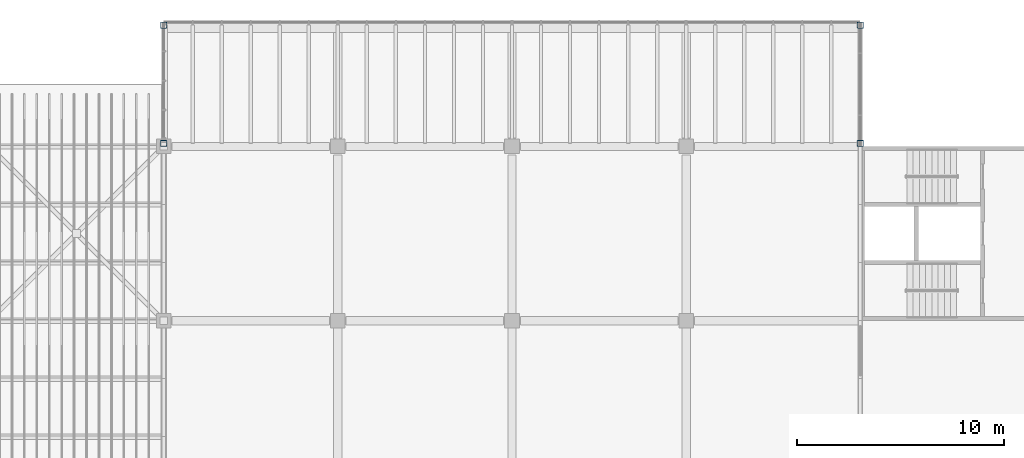
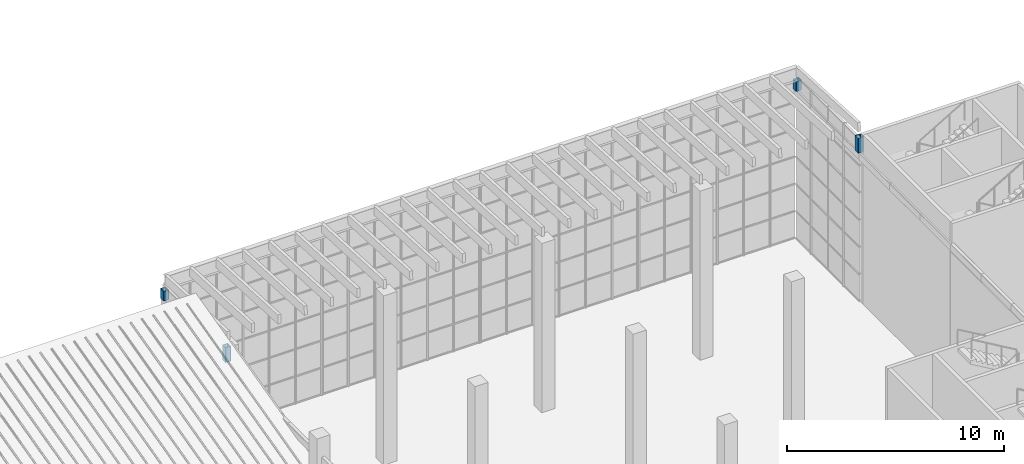
# One storey, part 29 of 114: 4 members.
"""IFC4 building model written with IfcOpenShell, lengths in metres."""

from ifc_helpers import new_model, si_unit, direction, frame, origin, origin_2d, place, context, subcontext, project, spatial, hollow_rectangle, extrude, material, material_profile, profile_set, type_object, element, save


model = new_model("IFC4")

# Units and contexts
model_context = context("Model", 3, precision=1e-05, world=origin(), true_north=direction((0.0, 1.0)))
body_context = subcontext(model_context, "Body", "Model", "MODEL_VIEW")
ifc_project = project(units=[si_unit("LENGTHUNIT", "METRE"), si_unit("AREAUNIT", "SQUARE_METRE"), si_unit("VOLUMEUNIT", "CUBIC_METRE"), si_unit("PLANEANGLEUNIT", "RADIAN"), si_unit("MASSUNIT", "GRAM", prefix="KILO")], contexts=[model_context])

# Site, building, storey
site_placement = place(None, origin())
site = spatial("IfcSite", under=ifc_project, at=site_placement, CompositionType="ELEMENT")
building_placement = place(site_placement, origin())
building = spatial("IfcBuilding", under=site, at=building_placement, Name="Almond Square Museum", CompositionType="ELEMENT")
storey_placement = place(building_placement, frame((0.0, 0.0, 10.5)))
storey = spatial("IfcBuildingStorey", under=building, at=storey_placement, Name="L02", CompositionType="ELEMENT", Elevation=10.5)

# Members
ifc_material = material(Name="Structural steel S355", Category="steel")
ifc_material_profile = material_profile(ifc_material, hollow_rectangle(XDim=0.300048828125, YDim=0.300048828125, WallThickness=0.012451171875, InnerFilletRadius=0.02490234375, OuterFilletRadius=0.03759765625, at=origin_2d()))
ifc_profile_set = profile_set([ifc_material_profile], Name="Structural steel S355")
member_type = type_object("IfcMemberType", Name="Truss post SHS 300x300x12.5", PredefinedType="POST", material=ifc_profile_set)
member_1_placement = place(storey_placement, frame((39.60009765625, 109.35009765625, 8.39990234375), z_axis=(0.0, 0.0, 1.0), x_axis=(1.0, 0.0, 0.0)))
element("IfcMember", 1, at=member_1_placement, inside=storey, type_object=member_type, Name="Box roof post", PredefinedType="POST", context=body_context, shape_type="SweptSolid", body=[
    extrude(hollow_rectangle(XDim=0.300048828125, YDim=0.300048828125, WallThickness=0.012451171875, InnerFilletRadius=0.02490234375, OuterFilletRadius=0.03759765625, at=origin_2d()), origin(), (0.0, 0.0, 1.0), 0.83837890625),
])
member_2_placement = place(storey_placement, frame((39.60009765625, 115.050048828125, 8.39990234375), z_axis=(0.0, 0.0, 1.0), x_axis=(1.0, 0.0, 0.0)))
element("IfcMember", 2, at=member_2_placement, inside=storey, type_object=member_type, Name="Box roof post", PredefinedType="POST", context=body_context, shape_type="SweptSolid", body=[
    extrude(hollow_rectangle(XDim=0.300048828125, YDim=0.300048828125, WallThickness=0.012451171875, InnerFilletRadius=0.02490234375, OuterFilletRadius=0.03759765625, at=origin_2d()), origin(), (0.0, 0.0, 1.0), 0.553466796875),
])
member_3_placement = place(storey_placement, frame((73.199951171875, 109.35009765625, 8.39990234375), z_axis=(0.0, 0.0, 1.0), x_axis=(1.0, 0.0, 0.0)))
element("IfcMember", 3, at=member_3_placement, inside=storey, type_object=member_type, Name="Box roof post", PredefinedType="POST", context=body_context, shape_type="SweptSolid", body=[
    extrude(hollow_rectangle(XDim=0.300048828125, YDim=0.300048828125, WallThickness=0.012451171875, InnerFilletRadius=0.02490234375, OuterFilletRadius=0.03759765625, at=origin_2d()), origin(), (0.0, 0.0, 1.0), 0.83837890625),
])
member_4_placement = place(storey_placement, frame((73.199951171875, 115.050048828125, 8.39990234375), z_axis=(0.0, 0.0, 1.0), x_axis=(1.0, 0.0, 0.0)))
element("IfcMember", 4, at=member_4_placement, inside=storey, type_object=member_type, Name="Box roof post", PredefinedType="POST", context=body_context, shape_type="SweptSolid", body=[
    extrude(hollow_rectangle(XDim=0.300048828125, YDim=0.300048828125, WallThickness=0.012451171875, InnerFilletRadius=0.02490234375, OuterFilletRadius=0.03759765625, at=origin_2d()), origin(), (0.0, 0.0, 1.0), 0.553466796875),
])

save(model, "model.ifc")
